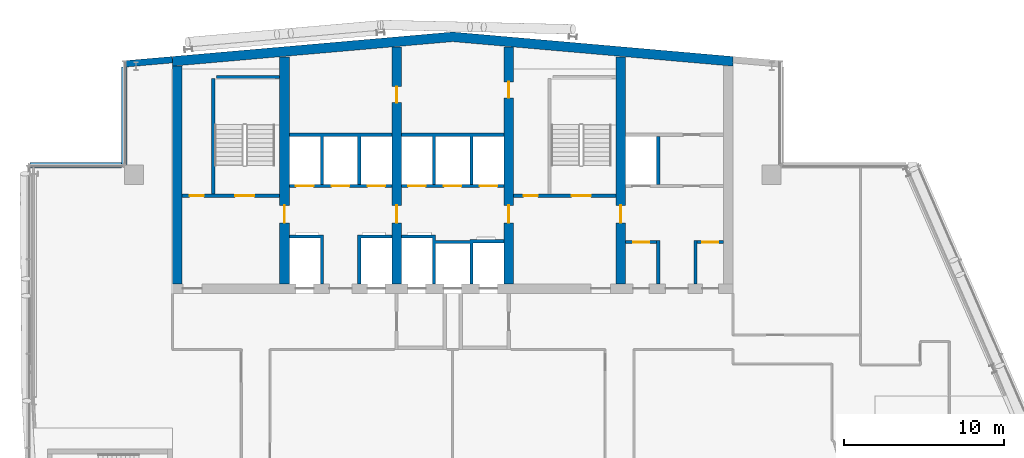
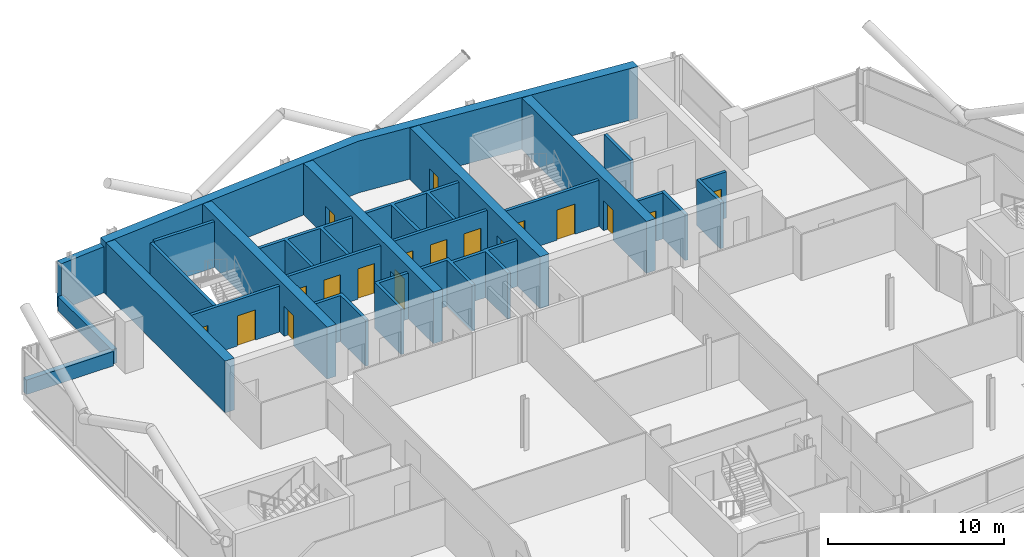
# One storey, part 19 of 28: 25 walls, 18 doors, 18 openings.
"""IFC4 building model written with IfcOpenShell, lengths in metres."""

from ifc_helpers import new_model, si_unit, direction, frame, frame_2d, origin, place, context, subcontext, project, spatial, polyline, rectangle, outline, extrude, material, layer, layer_set, type_object, element, fill, save


model = new_model("IFC4")

# Units and contexts
model_context = context("Model", 3, precision=1e-05, world=origin(), true_north=direction((0.0, 1.0)))
body_context = subcontext(model_context, "Body", "Model", "MODEL_VIEW")
ifc_project = project(units=[si_unit("LENGTHUNIT", "METRE"), si_unit("AREAUNIT", "SQUARE_METRE"), si_unit("VOLUMEUNIT", "CUBIC_METRE"), si_unit("PLANEANGLEUNIT", "RADIAN"), si_unit("MASSUNIT", "GRAM", prefix="KILO")], contexts=[model_context])

# Site, building, storey
site_placement = place(None, origin())
site = spatial("IfcSite", under=ifc_project, at=site_placement, CompositionType="ELEMENT")
building_placement = place(site_placement, origin())
building = spatial("IfcBuilding", under=site, at=building_placement, Name="Wharfspan Tower", CompositionType="ELEMENT")
storey_placement = place(building_placement, frame((0.0, 0.0, 253.899902)))
storey = spatial("IfcBuildingStorey", under=building, at=storey_placement, Name="L64", CompositionType="ELEMENT", Elevation=253.899902)

# Wall, opening, door
ifc_material_1 = material(Name="Calcium silicate masonry", Category="masonry")
ifc_layer_1 = layer(ifc_material_1, 0.199951)
ifc_layer_set_1 = layer_set([ifc_layer_1], Name="Calcium silicate masonry")
wall_type_1 = type_object("IfcWallType", Name="Core room wall 200", PredefinedType="PARTITIONING", material=ifc_layer_set_1)
wall_1_placement = place(storey_placement, frame((51.300049, 37.199951, 0.0), z_axis=(0.0, 0.0, 1.0), x_axis=(1.0, 0.0, 0.0)))
wall_1 = element("IfcWall", 1, at=wall_1_placement, inside=storey, type_object=wall_type_1, Name="sw:L64:FR6.1", PredefinedType="PARTITIONING", context=body_context, shape_type="SweptSolid", body=[
    extrude(rectangle(XDim=1.93335, YDim=0.199951, at=frame_2d((0.966797, 0.0))), origin(), (0.0, 0.0, 1.0), 3.200195),
])
opening_1_placement = place(wall_1_placement, frame((0.466797, 0.0, 0.0)))
opening_1 = element("IfcOpeningElement", 2, at=opening_1_placement, cuts=wall_1, Name="Opening CD64.6H1", PredefinedType="OPENING", context=body_context, shape_type="SweptSolid", body=[
    extrude(rectangle(XDim=1.0, YDim=2.100098, at=frame_2d((0.5, 1.050049))), frame((0.0, 0.109863, 0.0), z_axis=(0.0, -1.0, 0.0), x_axis=(1.0, 0.0, 0.0)), (0.0, 0.0, 1.0), 0.219971),
])
ifc_material_2 = material(Name="Steel door leaf", Category="steel")
door_type_1 = type_object("IfcDoorType", Name="Core room door 1000x2100", OperationType="SINGLE_SWING_LEFT", PredefinedType="DOOR", material=ifc_material_2)
door_1_placement = place(opening_1_placement, origin())
door_1 = element("IfcDoor", 3, at=door_1_placement, inside=storey, type_object=door_type_1, Name="d:L64:6:fh6.1", OperationType="SINGLE_SWING_RIGHT", OverallHeight=2.100098, OverallWidth=1.0, PredefinedType="DOOR", context=body_context, shape_type="SweptSolid", body=[
    extrude(rectangle(XDim=1.0, YDim=2.100098, at=frame_2d((0.5, 1.050049))), frame((0.0, 0.024902, 0.0), z_axis=(0.0, -1.0, 0.0), x_axis=(1.0, 0.0, 0.0)), (0.0, 0.0, 1.0), 0.050049),
])
fill(opening_1, door_1)

wall_2_placement = place(storey_placement, frame((55.766602, 37.199951, 0.0), z_axis=(0.0, 0.0, 1.0), x_axis=(1.0, 0.0, 0.0)))
wall_2 = element("IfcWall", 4, at=wall_2_placement, inside=storey, type_object=wall_type_1, Name="sw:L64:FR6.3", PredefinedType="PARTITIONING", context=body_context, shape_type="SweptSolid", body=[
    extrude(rectangle(XDim=1.633301, YDim=0.199951, at=frame_2d((0.81665, 0.0))), origin(), (0.0, 0.0, 1.0), 3.200195),
])
opening_2_placement = place(wall_2_placement, frame((0.31665, 0.0, 0.0)))
opening_2 = element("IfcOpeningElement", 5, at=opening_2_placement, cuts=wall_2, Name="Opening CD64.6H3", PredefinedType="OPENING", context=body_context, shape_type="SweptSolid", body=[
    extrude(rectangle(XDim=1.0, YDim=2.100098, at=frame_2d((0.5, 1.050049))), frame((0.0, 0.109863, 0.0), z_axis=(0.0, -1.0, 0.0), x_axis=(1.0, 0.0, 0.0)), (0.0, 0.0, 1.0), 0.219971),
])
door_2_placement = place(opening_2_placement, origin())
door_2 = element("IfcDoor", 6, at=door_2_placement, inside=storey, type_object=door_type_1, Name="d:L64:6:fh6.3", OperationType="SINGLE_SWING_RIGHT", OverallHeight=2.100098, OverallWidth=1.0, PredefinedType="DOOR", context=body_context, shape_type="SweptSolid", body=[
    extrude(rectangle(XDim=1.0, YDim=2.100098, at=frame_2d((0.5, 1.050049))), frame((0.0, 0.024902, 0.0), z_axis=(0.0, -1.0, 0.0), x_axis=(1.0, 0.0, 0.0)), (0.0, 0.0, 1.0), 0.050049),
])
fill(opening_2, door_2)

# Walls
ifc_material_3 = material(Name="Concrete C50/60", Category="concrete")
ifc_layer_2 = layer(ifc_material_3, 0.600098)
ifc_layer_set_2 = layer_set([ifc_layer_2], Name="Concrete C50/60")
wall_type_2 = type_object("IfcWallType", Name="Core wall 600 C50/60", PredefinedType="SHEAR", material=ifc_layer_set_2)
wall_3_placement = place(storey_placement, origin())
element("IfcWall", 7, at=wall_3_placement, inside=storey, type_object=wall_type_2, Name="Core rear wall L64", PredefinedType="SHEAR", context=body_context, shape_type="SweptSolid", body=[
    extrude(outline(polyline([(23.0, 48.185059), (40.5, 49.716064), (58.0, 48.185059), (58.0, 48.787354), (40.5, 50.318359), (23.0, 48.787354), (23.0, 48.185059)])), origin(), (0.0, 0.0, 1.0), 3.600098),
])
wall_4_placement = place(storey_placement, frame((23.300049, 34.600098, 0.0), z_axis=(0.0, 0.0, 1.0), x_axis=(0.0, 1.0, 0.0)))
element("IfcWall", 8, at=wall_4_placement, inside=storey, type_object=wall_type_2, Name="Core cross wall EW0 L64", PredefinedType="SHEAR", context=body_context, shape_type="SweptSolid", body=[
    extrude(rectangle(XDim=13.584961, YDim=0.600098, at=frame_2d((6.79248, 0.0))), origin(), (0.0, 0.0, 1.0), 3.600098),
])

# Wall, opening, door
wall_5_placement = place(storey_placement, frame((30.0, 34.600098, 0.0), z_axis=(0.0, 0.0, 1.0), x_axis=(0.0, 1.0, 0.0)))
wall_5 = element("IfcWall", 9, at=wall_5_placement, inside=storey, type_object=wall_type_2, Name="Core cross wall X3 L64", PredefinedType="SHEAR", context=body_context, shape_type="SweptSolid", body=[
    extrude(rectangle(XDim=14.171143, YDim=0.600098, at=frame_2d((7.085449, 0.0))), origin(), (0.0, 0.0, 1.0), 3.600098),
])
opening_3_placement = place(wall_5_placement, frame((3.800049, 0.0, 0.0)))
opening_3 = element("IfcOpeningElement", 10, at=opening_3_placement, cuts=wall_5, Name="Opening CC64.3", PredefinedType="OPENING", context=body_context, shape_type="SweptSolid", body=[
    extrude(rectangle(XDim=1.100098, YDim=2.100098, at=frame_2d((0.550049, 1.050049))), frame((0.0, 0.310059, 0.0), z_axis=(0.0, -1.0, 0.0), x_axis=(1.0, 0.0, 0.0)), (0.0, 0.0, 1.0), 0.620117),
])
door_type_2 = type_object("IfcDoorType", Name="Core corridor door 1100x2100", OperationType="SINGLE_SWING_LEFT", PredefinedType="DOOR", material=ifc_material_2)
door_3_placement = place(opening_3_placement, origin())
door_3 = element("IfcDoor", 11, at=door_3_placement, inside=storey, type_object=door_type_2, Name="xd:L64:3", OperationType="SINGLE_SWING_LEFT", OverallHeight=2.100098, OverallWidth=1.100098, PredefinedType="DOOR", context=body_context, shape_type="SweptSolid", body=[
    extrude(rectangle(XDim=1.100098, YDim=2.100098, at=frame_2d((0.550049, 1.050049))), frame((0.0, 0.024902, 0.0), z_axis=(0.0, -1.0, 0.0), x_axis=(1.0, 0.0, 0.0)), (0.0, 0.0, 1.0), 0.050049),
])
fill(opening_3, door_3)

# Wall, openings, doors
wall_6_placement = place(storey_placement, frame((37.0, 34.600098, 0.0), z_axis=(0.0, 0.0, 1.0), x_axis=(0.0, 1.0, 0.0)))
wall_6 = element("IfcWall", 12, at=wall_6_placement, inside=storey, type_object=wall_type_2, Name="Core cross wall X4 L64", PredefinedType="SHEAR", context=body_context, shape_type="SweptSolid", body=[
    extrude(rectangle(XDim=14.783691, YDim=0.600098, at=frame_2d((7.391846, 0.0))), origin(), (0.0, 0.0, 1.0), 3.600098),
])
opening_4_placement = place(wall_6_placement, frame((11.302002, 0.0, 0.0)))
opening_4 = element("IfcOpeningElement", 13, at=opening_4_placement, cuts=wall_6, Name="Opening CD64.3X", PredefinedType="OPENING", context=body_context, shape_type="SweptSolid", body=[
    extrude(rectangle(XDim=1.0, YDim=2.100098, at=frame_2d((0.5, 1.050049))), frame((0.0, 0.310059, 0.0), z_axis=(0.0, -1.0, 0.0), x_axis=(1.0, 0.0, 0.0)), (0.0, 0.0, 1.0), 0.620117),
])
opening_5_placement = place(wall_6_placement, frame((3.800049, 0.0, 0.0)))
opening_5 = element("IfcOpeningElement", 14, at=opening_5_placement, cuts=wall_6, Name="Opening CC64.4", PredefinedType="OPENING", context=body_context, shape_type="SweptSolid", body=[
    extrude(rectangle(XDim=1.100098, YDim=2.100098, at=frame_2d((0.550049, 1.050049))), frame((0.0, 0.310059, 0.0), z_axis=(0.0, -1.0, 0.0), x_axis=(1.0, 0.0, 0.0)), (0.0, 0.0, 1.0), 0.620117),
])
door_4_placement = place(opening_5_placement, origin())
door_4 = element("IfcDoor", 15, at=door_4_placement, inside=storey, type_object=door_type_2, Name="xd:L64:4", OperationType="SINGLE_SWING_RIGHT", OverallHeight=2.100098, OverallWidth=1.100098, PredefinedType="DOOR", context=body_context, shape_type="SweptSolid", body=[
    extrude(rectangle(XDim=1.100098, YDim=2.100098, at=frame_2d((0.550049, 1.050049))), frame((0.0, 0.024902, 0.0), z_axis=(0.0, -1.0, 0.0), x_axis=(1.0, 0.0, 0.0)), (0.0, 0.0, 1.0), 0.050049),
])
fill(opening_5, door_4)
door_5_placement = place(opening_4_placement, origin())
door_5 = element("IfcDoor", 16, at=door_5_placement, inside=storey, type_object=door_type_1, Name="d:L64:3:sx", OperationType="SINGLE_SWING_LEFT", OverallHeight=2.100098, OverallWidth=1.0, PredefinedType="DOOR", context=body_context, shape_type="SweptSolid", body=[
    extrude(rectangle(XDim=1.0, YDim=2.100098, at=frame_2d((0.5, 1.050049))), frame((0.0, 0.024902, 0.0), z_axis=(0.0, -1.0, 0.0), x_axis=(1.0, 0.0, 0.0)), (0.0, 0.0, 1.0), 0.050049),
])
fill(opening_4, door_5)

wall_7_placement = place(storey_placement, frame((44.0, 34.600098, 0.0), z_axis=(0.0, 0.0, 1.0), x_axis=(0.0, 1.0, 0.0)))
wall_7 = element("IfcWall", 17, at=wall_7_placement, inside=storey, type_object=wall_type_2, Name="Core cross wall X5 L64", PredefinedType="SHEAR", context=body_context, shape_type="SweptSolid", body=[
    extrude(rectangle(XDim=14.783691, YDim=0.600098, at=frame_2d((7.391846, 0.0))), origin(), (0.0, 0.0, 1.0), 3.600098),
])
opening_6_placement = place(wall_7_placement, frame((11.608154, 0.0, 0.0)))
opening_6 = element("IfcOpeningElement", 18, at=opening_6_placement, cuts=wall_7, Name="Opening CD64.4X", PredefinedType="OPENING", context=body_context, shape_type="SweptSolid", body=[
    extrude(rectangle(XDim=1.0, YDim=2.100098, at=frame_2d((0.5, 1.050049))), frame((0.0, 0.310059, 0.0), z_axis=(0.0, -1.0, 0.0), x_axis=(1.0, 0.0, 0.0)), (0.0, 0.0, 1.0), 0.620117),
])
opening_7_placement = place(wall_7_placement, frame((3.800049, 0.0, 0.0)))
opening_7 = element("IfcOpeningElement", 19, at=opening_7_placement, cuts=wall_7, Name="Opening CC64.5", PredefinedType="OPENING", context=body_context, shape_type="SweptSolid", body=[
    extrude(rectangle(XDim=1.100098, YDim=2.100098, at=frame_2d((0.550049, 1.050049))), frame((0.0, 0.310059, 0.0), z_axis=(0.0, -1.0, 0.0), x_axis=(1.0, 0.0, 0.0)), (0.0, 0.0, 1.0), 0.620117),
])
door_6_placement = place(opening_7_placement, origin())
door_6 = element("IfcDoor", 20, at=door_6_placement, inside=storey, type_object=door_type_2, Name="xd:L64:5", OperationType="SINGLE_SWING_LEFT", OverallHeight=2.100098, OverallWidth=1.100098, PredefinedType="DOOR", context=body_context, shape_type="SweptSolid", body=[
    extrude(rectangle(XDim=1.100098, YDim=2.100098, at=frame_2d((0.550049, 1.050049))), frame((0.0, 0.024902, 0.0), z_axis=(0.0, -1.0, 0.0), x_axis=(1.0, 0.0, 0.0)), (0.0, 0.0, 1.0), 0.050049),
])
fill(opening_7, door_6)
door_7_placement = place(opening_6_placement, origin())
door_7 = element("IfcDoor", 21, at=door_7_placement, inside=storey, type_object=door_type_1, Name="d:L64:4:sx", OperationType="SINGLE_SWING_LEFT", OverallHeight=2.100098, OverallWidth=1.0, PredefinedType="DOOR", context=body_context, shape_type="SweptSolid", body=[
    extrude(rectangle(XDim=1.0, YDim=2.100098, at=frame_2d((0.5, 1.050049))), frame((0.0, 0.024902, 0.0), z_axis=(0.0, -1.0, 0.0), x_axis=(1.0, 0.0, 0.0)), (0.0, 0.0, 1.0), 0.050049),
])
fill(opening_6, door_7)

# Wall, opening, door
wall_8_placement = place(storey_placement, frame((51.0, 34.600098, 0.0), z_axis=(0.0, 0.0, 1.0), x_axis=(0.0, 1.0, 0.0)))
wall_8 = element("IfcWall", 22, at=wall_8_placement, inside=storey, type_object=wall_type_2, Name="Core cross wall X6 L64", PredefinedType="SHEAR", context=body_context, shape_type="SweptSolid", body=[
    extrude(rectangle(XDim=14.171143, YDim=0.600098, at=frame_2d((7.085449, 0.0))), origin(), (0.0, 0.0, 1.0), 3.600098),
])
opening_8_placement = place(wall_8_placement, frame((3.800049, 0.0, 0.0)))
opening_8 = element("IfcOpeningElement", 23, at=opening_8_placement, cuts=wall_8, Name="Opening CC64.6", PredefinedType="OPENING", context=body_context, shape_type="SweptSolid", body=[
    extrude(rectangle(XDim=1.100098, YDim=2.100098, at=frame_2d((0.550049, 1.050049))), frame((0.0, 0.310059, 0.0), z_axis=(0.0, -1.0, 0.0), x_axis=(1.0, 0.0, 0.0)), (0.0, 0.0, 1.0), 0.620117),
])
door_8_placement = place(opening_8_placement, origin())
door_8 = element("IfcDoor", 24, at=door_8_placement, inside=storey, type_object=door_type_2, Name="xd:L64:6", OperationType="SINGLE_SWING_RIGHT", OverallHeight=2.100098, OverallWidth=1.100098, PredefinedType="DOOR", context=body_context, shape_type="SweptSolid", body=[
    extrude(rectangle(XDim=1.100098, YDim=2.100098, at=frame_2d((0.550049, 1.050049))), frame((0.0, 0.024902, 0.0), z_axis=(0.0, -1.0, 0.0), x_axis=(1.0, 0.0, 0.0)), (0.0, 0.0, 1.0), 0.050049),
])
fill(opening_8, door_8)

# Wall, openings, doors
ifc_material_4 = material(Name="Concrete C30/37", Category="concrete")
ifc_layer_3 = layer(ifc_material_4, 0.199951)
ifc_layer_set_3 = layer_set([ifc_layer_3], Name="Concrete C30/37")
wall_type_3 = type_object("IfcWallType", Name="Lift shaft wall 200", PredefinedType="PARTITIONING", material=ifc_layer_set_3)
wall_9_placement = place(storey_placement, frame((30.300049, 40.699951, 0.0), z_axis=(0.0, 0.0, 1.0), x_axis=(1.0, 0.0, 0.0)))
wall_9 = element("IfcWall", 25, at=wall_9_placement, inside=storey, type_object=wall_type_3, Name="sw:L64:RF3", PredefinedType="PARTITIONING", context=body_context, shape_type="SweptSolid", body=[
    extrude(rectangle(XDim=6.399902, YDim=0.199951, at=frame_2d((3.199951, 0.0))), origin(), (0.0, 0.0, 1.0), 3.200195),
])
opening_9_placement = place(wall_9_placement, frame((0.416748, 0.0, 0.0)))
opening_9 = element("IfcOpeningElement", 26, at=opening_9_placement, cuts=wall_9, Name="Opening LD.LB1.L64", PredefinedType="OPENING", context=body_context, shape_type="SweptSolid", body=[
    extrude(rectangle(XDim=1.100098, YDim=2.100098, at=frame_2d((0.550049, 1.050049))), frame((0.0, 0.109863, 0.0), z_axis=(0.0, -1.0, 0.0), x_axis=(1.0, 0.0, 0.0)), (0.0, 0.0, 1.0), 0.219971),
])
opening_10_placement = place(wall_9_placement, frame((2.649902, 0.0, 0.0)))
opening_10 = element("IfcOpeningElement", 27, at=opening_10_placement, cuts=wall_9, Name="Opening LD.LB2.L64", PredefinedType="OPENING", context=body_context, shape_type="SweptSolid", body=[
    extrude(rectangle(XDim=1.100098, YDim=2.100098, at=frame_2d((0.550049, 1.050049))), frame((0.0, 0.109863, 0.0), z_axis=(0.0, -1.0, 0.0), x_axis=(1.0, 0.0, 0.0)), (0.0, 0.0, 1.0), 0.219971),
])
opening_11_placement = place(wall_9_placement, frame((4.883301, 0.0, 0.0)))
opening_11 = element("IfcOpeningElement", 28, at=opening_11_placement, cuts=wall_9, Name="Opening LD.LB3.L64", PredefinedType="OPENING", context=body_context, shape_type="SweptSolid", body=[
    extrude(rectangle(XDim=1.100098, YDim=2.100098, at=frame_2d((0.550049, 1.050049))), frame((0.0, 0.109863, 0.0), z_axis=(0.0, -1.0, 0.0), x_axis=(1.0, 0.0, 0.0)), (0.0, 0.0, 1.0), 0.219971),
])
ifc_material_5 = material(Name="Stainless steel", Category="steel")
door_type_3 = type_object("IfcDoorType", Name="Lift landing door 1100x2100", OperationType="DOUBLE_DOOR_SLIDING", PredefinedType="DOOR", material=ifc_material_5)
door_9_placement = place(opening_9_placement, origin())
door_9 = element("IfcDoor", 29, at=door_9_placement, inside=storey, type_object=door_type_3, Name="Landing door LB1 L64", OperationType="DOUBLE_DOOR_SLIDING", OverallHeight=2.100098, OverallWidth=1.100098, PredefinedType="DOOR", context=body_context, shape_type="SweptSolid", body=[
    extrude(rectangle(XDim=1.100098, YDim=2.100098, at=frame_2d((0.550049, 1.050049))), frame((0.0, 0.024902, 0.0), z_axis=(0.0, -1.0, 0.0), x_axis=(1.0, 0.0, 0.0)), (0.0, 0.0, 1.0), 0.050049),
])
fill(opening_9, door_9)
door_10_placement = place(opening_10_placement, origin())
door_10 = element("IfcDoor", 30, at=door_10_placement, inside=storey, type_object=door_type_3, Name="Landing door LB2 L64", OperationType="DOUBLE_DOOR_SLIDING", OverallHeight=2.100098, OverallWidth=1.100098, PredefinedType="DOOR", context=body_context, shape_type="SweptSolid", body=[
    extrude(rectangle(XDim=1.100098, YDim=2.100098, at=frame_2d((0.550049, 1.050049))), frame((0.0, 0.024902, 0.0), z_axis=(0.0, -1.0, 0.0), x_axis=(1.0, 0.0, 0.0)), (0.0, 0.0, 1.0), 0.050049),
])
fill(opening_10, door_10)
door_11_placement = place(opening_11_placement, origin())
door_11 = element("IfcDoor", 31, at=door_11_placement, inside=storey, type_object=door_type_3, Name="Landing door LB3 L64", OperationType="DOUBLE_DOOR_SLIDING", OverallHeight=2.100098, OverallWidth=1.100098, PredefinedType="DOOR", context=body_context, shape_type="SweptSolid", body=[
    extrude(rectangle(XDim=1.100098, YDim=2.100098, at=frame_2d((0.550049, 1.050049))), frame((0.0, 0.024902, 0.0), z_axis=(0.0, -1.0, 0.0), x_axis=(1.0, 0.0, 0.0)), (0.0, 0.0, 1.0), 0.050049),
])
fill(opening_11, door_11)

# Walls
wall_10_placement = place(storey_placement, origin())
element("IfcWall", 32, at=wall_10_placement, inside=storey, type_object=wall_type_3, Name="sw:L64:FM3.0", PredefinedType="PARTITIONING", context=body_context, shape_type="SweptSolid", body=[
    extrude(outline(polyline([(32.233398, 37.449951), (30.300049, 37.449951), (30.300049, 37.649902), (32.233398, 37.649902), (32.43335, 37.649902), (32.43335, 34.600098), (32.233398, 34.600098), (32.233398, 37.449951)])), origin(), (0.0, 0.0, 1.0), 3.200195),
])
wall_11_placement = place(storey_placement, origin())
element("IfcWall", 33, at=wall_11_placement, inside=storey, type_object=wall_type_3, Name="sw:L64:FM3.1", PredefinedType="PARTITIONING", context=body_context, shape_type="SweptSolid", body=[
    extrude(outline(polyline([(34.56665, 37.649902), (34.766602, 37.649902), (36.699951, 37.649902), (36.699951, 37.449951), (34.766602, 37.449951), (34.766602, 34.600098), (34.56665, 34.600098), (34.56665, 37.649902)])), origin(), (0.0, 0.0, 1.0), 3.200195),
])
wall_12_placement = place(storey_placement, origin())
element("IfcWall", 34, at=wall_12_placement, inside=storey, type_object=wall_type_3, Name="sw:L64:RM3.0", PredefinedType="PARTITIONING", context=body_context, shape_type="SweptSolid", body=[
    extrude(outline(polyline([(32.43335, 40.800049), (32.233398, 40.800049), (32.233398, 43.800049), (30.300049, 43.800049), (30.300049, 44.0), (36.699951, 44.0), (36.699951, 43.800049), (34.766602, 43.800049), (34.766602, 40.800049), (34.56665, 40.800049), (34.56665, 43.800049), (32.43335, 43.800049), (32.43335, 40.800049)])), origin(), (0.0, 0.0, 1.0), 3.200195),
])

# Wall, openings, doors
wall_13_placement = place(storey_placement, frame((37.300049, 40.699951, 0.0), z_axis=(0.0, 0.0, 1.0), x_axis=(1.0, 0.0, 0.0)))
wall_13 = element("IfcWall", 35, at=wall_13_placement, inside=storey, type_object=wall_type_3, Name="sw:L64:RF4", PredefinedType="PARTITIONING", context=body_context, shape_type="SweptSolid", body=[
    extrude(rectangle(XDim=6.399902, YDim=0.199951, at=frame_2d((3.199951, 0.0))), origin(), (0.0, 0.0, 1.0), 3.200195),
])
opening_12_placement = place(wall_13_placement, frame((0.416748, 0.0, 0.0)))
opening_12 = element("IfcOpeningElement", 36, at=opening_12_placement, cuts=wall_13, Name="Opening LD.LB4.L64", PredefinedType="OPENING", context=body_context, shape_type="SweptSolid", body=[
    extrude(rectangle(XDim=1.100098, YDim=2.100098, at=frame_2d((0.550049, 1.050049))), frame((0.0, 0.109863, 0.0), z_axis=(0.0, -1.0, 0.0), x_axis=(1.0, 0.0, 0.0)), (0.0, 0.0, 1.0), 0.219971),
])
opening_13_placement = place(wall_13_placement, frame((2.649902, 0.0, 0.0)))
opening_13 = element("IfcOpeningElement", 37, at=opening_13_placement, cuts=wall_13, Name="Opening LD.LB5.L64", PredefinedType="OPENING", context=body_context, shape_type="SweptSolid", body=[
    extrude(rectangle(XDim=1.100098, YDim=2.100098, at=frame_2d((0.550049, 1.050049))), frame((0.0, 0.109863, 0.0), z_axis=(0.0, -1.0, 0.0), x_axis=(1.0, 0.0, 0.0)), (0.0, 0.0, 1.0), 0.219971),
])
opening_14_placement = place(wall_13_placement, frame((4.883301, 0.0, 0.0)))
opening_14 = element("IfcOpeningElement", 38, at=opening_14_placement, cuts=wall_13, Name="Opening LD.LB6.L64", PredefinedType="OPENING", context=body_context, shape_type="SweptSolid", body=[
    extrude(rectangle(XDim=1.100098, YDim=2.100098, at=frame_2d((0.550049, 1.050049))), frame((0.0, 0.109863, 0.0), z_axis=(0.0, -1.0, 0.0), x_axis=(1.0, 0.0, 0.0)), (0.0, 0.0, 1.0), 0.219971),
])
door_12_placement = place(opening_12_placement, origin())
door_12 = element("IfcDoor", 39, at=door_12_placement, inside=storey, type_object=door_type_3, Name="Landing door LB4 L64", OperationType="DOUBLE_DOOR_SLIDING", OverallHeight=2.100098, OverallWidth=1.100098, PredefinedType="DOOR", context=body_context, shape_type="SweptSolid", body=[
    extrude(rectangle(XDim=1.100098, YDim=2.100098, at=frame_2d((0.550049, 1.050049))), frame((0.0, 0.024902, 0.0), z_axis=(0.0, -1.0, 0.0), x_axis=(1.0, 0.0, 0.0)), (0.0, 0.0, 1.0), 0.050049),
])
fill(opening_12, door_12)
door_13_placement = place(opening_13_placement, origin())
door_13 = element("IfcDoor", 40, at=door_13_placement, inside=storey, type_object=door_type_3, Name="Landing door LB5 L64", OperationType="DOUBLE_DOOR_SLIDING", OverallHeight=2.100098, OverallWidth=1.100098, PredefinedType="DOOR", context=body_context, shape_type="SweptSolid", body=[
    extrude(rectangle(XDim=1.100098, YDim=2.100098, at=frame_2d((0.550049, 1.050049))), frame((0.0, 0.024902, 0.0), z_axis=(0.0, -1.0, 0.0), x_axis=(1.0, 0.0, 0.0)), (0.0, 0.0, 1.0), 0.050049),
])
fill(opening_13, door_13)
door_14_placement = place(opening_14_placement, origin())
door_14 = element("IfcDoor", 41, at=door_14_placement, inside=storey, type_object=door_type_3, Name="Landing door LB6 L64", OperationType="DOUBLE_DOOR_SLIDING", OverallHeight=2.100098, OverallWidth=1.100098, PredefinedType="DOOR", context=body_context, shape_type="SweptSolid", body=[
    extrude(rectangle(XDim=1.100098, YDim=2.100098, at=frame_2d((0.550049, 1.050049))), frame((0.0, 0.024902, 0.0), z_axis=(0.0, -1.0, 0.0), x_axis=(1.0, 0.0, 0.0)), (0.0, 0.0, 1.0), 0.050049),
])
fill(opening_14, door_14)

# Walls
wall_14_placement = place(storey_placement, origin())
element("IfcWall", 42, at=wall_14_placement, inside=storey, type_object=wall_type_3, Name="sw:L64:FM4.0", PredefinedType="PARTITIONING", context=body_context, shape_type="SweptSolid", body=[
    extrude(outline(polyline([(41.56665, 37.100098), (39.43335, 37.100098), (39.43335, 34.600098), (39.233398, 34.600098), (39.233398, 37.449951), (37.300049, 37.449951), (37.300049, 37.649902), (39.233398, 37.649902), (39.43335, 37.649902), (39.43335, 37.300049), (41.56665, 37.300049), (41.56665, 37.350098), (41.766602, 37.350098), (43.699951, 37.350098), (43.699951, 37.149902), (41.766602, 37.149902), (41.766602, 34.600098), (41.56665, 34.600098), (41.56665, 37.100098)])), origin(), (0.0, 0.0, 1.0), 3.200195),
])
wall_15_placement = place(storey_placement, origin())
element("IfcWall", 43, at=wall_15_placement, inside=storey, type_object=wall_type_3, Name="sw:L64:RM4.0", PredefinedType="PARTITIONING", context=body_context, shape_type="SweptSolid", body=[
    extrude(outline(polyline([(39.43335, 40.800049), (39.233398, 40.800049), (39.233398, 43.800049), (37.300049, 43.800049), (37.300049, 44.0), (43.699951, 44.0), (43.699951, 43.800049), (41.766602, 43.800049), (41.766602, 40.800049), (41.56665, 40.800049), (41.56665, 43.800049), (39.43335, 43.800049), (39.43335, 40.800049)])), origin(), (0.0, 0.0, 1.0), 3.200195),
])
wall_16_placement = place(storey_placement, origin())
element("IfcWall", 44, at=wall_16_placement, inside=storey, type_object=wall_type_3, Name="sw:L64:FM6.0", PredefinedType="PARTITIONING", context=body_context, shape_type="SweptSolid", body=[
    extrude(outline(polyline([(53.233398, 34.600098), (53.233398, 37.300049), (53.43335, 37.300049), (53.43335, 34.600098), (53.233398, 34.600098)])), origin(), (0.0, 0.0, 1.0), 3.200195),
])
wall_17_placement = place(storey_placement, origin())
element("IfcWall", 45, at=wall_17_placement, inside=storey, type_object=wall_type_3, Name="sw:L64:FM6.1", PredefinedType="PARTITIONING", context=body_context, shape_type="SweptSolid", body=[
    extrude(outline(polyline([(55.56665, 34.600098), (55.56665, 37.300049), (55.766602, 37.300049), (55.766602, 34.600098), (55.56665, 34.600098)])), origin(), (0.0, 0.0, 1.0), 3.200195),
])
wall_18_placement = place(storey_placement, origin())
element("IfcWall", 46, at=wall_18_placement, inside=storey, type_object=wall_type_3, Name="sw:L64:RM6.0", PredefinedType="PARTITIONING", context=body_context, shape_type="SweptSolid", body=[
    extrude(outline(polyline([(53.43335, 40.800049), (53.43335, 43.800049), (53.233398, 43.800049), (53.233398, 40.800049), (53.43335, 40.800049)])), origin(), (0.0, 0.0, 1.0), 3.200195),
])
ifc_material_6 = material(Name="Concrete C40/50", Category="concrete")
ifc_layer_4 = layer(ifc_material_6, 0.350098)
ifc_layer_set_4 = layer_set([ifc_layer_4], Name="Concrete C40/50")
wall_type_4 = type_object("IfcWallType", Name="SPANDREL EXPOSED CONCRETE 350", PredefinedType="SOLIDWALL", material=ifc_layer_set_4)
wall_19_placement = place(storey_placement, frame((19.995117, 48.126465, 0.0), z_axis=(0.0, 0.0, 1.0), x_axis=(0.0, -1.0, 0.0)))
element("IfcWall", 47, at=wall_19_placement, inside=storey, type_object=wall_type_4, Name="Spandrel upstand L64 NRW-V", PredefinedType="SOLIDWALL", context=body_context, shape_type="SweptSolid", body=[
    extrude(rectangle(XDim=6.126465, YDim=0.350098, at=frame_2d((3.063232, 0.0))), origin(), (0.0, 0.0, 1.0), 1.0),
])
wall_20_placement = place(storey_placement, frame((19.820068, 42.004883, 0.0), z_axis=(0.0, 0.0, 1.0), x_axis=(-1.0, 0.0, 0.0)))
element("IfcWall", 48, at=wall_20_placement, inside=storey, type_object=wall_type_4, Name="Spandrel upstand L64 NRW-H", PredefinedType="SOLIDWALL", context=body_context, shape_type="SweptSolid", body=[
    extrude(rectangle(XDim=5.699951, YDim=0.350098, at=frame_2d((2.850098, 0.0))), origin(), (0.0, 0.0, 1.0), 1.0),
])

# Wall, openings, doors
ifc_layer_5 = layer(ifc_material_6, 0.199951)
ifc_layer_set_5 = layer_set([ifc_layer_5], Name="Concrete C40/50")
wall_type_5 = type_object("IfcWallType", Name="Stair shaft wall 200", PredefinedType="SHEAR", material=ifc_layer_set_5)
wall_21_placement = place(storey_placement, frame((23.600098, 40.100098, 0.0), z_axis=(0.0, 0.0, 1.0), x_axis=(1.0, 0.0, 0.0)))
wall_21 = element("IfcWall", 49, at=wall_21_placement, inside=storey, type_object=wall_type_5, Name="ST1 stair enclosure wall L64", PredefinedType="SHEAR", context=body_context, shape_type="SweptSolid", body=[
    extrude(rectangle(XDim=6.099854, YDim=0.199951, at=frame_2d((3.049805, 0.0))), origin(), (0.0, 0.0, 1.0), 3.200195),
])
opening_15_placement = place(wall_21_placement, frame((3.324951, 0.0, 0.0)))
opening_15 = element("IfcOpeningElement", 50, at=opening_15_placement, cuts=wall_21, Name="Opening SD2.L64", PredefinedType="OPENING", context=body_context, shape_type="SweptSolid", body=[
    extrude(rectangle(XDim=1.199951, YDim=2.100098, at=frame_2d((0.600098, 1.050049))), frame((0.0, 0.109863, 0.0), z_axis=(0.0, -1.0, 0.0), x_axis=(1.0, 0.0, 0.0)), (0.0, 0.0, 1.0), 0.219971),
])
opening_16_placement = place(wall_21_placement, frame((0.475098, 0.0, 0.0)))
opening_16 = element("IfcOpeningElement", 51, at=opening_16_placement, cuts=wall_21, Name="Opening CD64.2R", PredefinedType="OPENING", context=body_context, shape_type="SweptSolid", body=[
    extrude(rectangle(XDim=0.899902, YDim=2.100098, at=frame_2d((0.449951, 1.050049))), frame((0.0, 0.109863, 0.0), z_axis=(0.0, -1.0, 0.0), x_axis=(1.0, 0.0, 0.0)), (0.0, 0.0, 1.0), 0.219971),
])
door_15_placement = place(opening_16_placement, origin())
door_15 = element("IfcDoor", 52, at=door_15_placement, inside=storey, type_object=door_type_1, Name="rk:L64:2", OperationType="SINGLE_SWING_LEFT", OverallHeight=2.100098, OverallWidth=0.899902, PredefinedType="DOOR", context=body_context, shape_type="SweptSolid", body=[
    extrude(rectangle(XDim=0.899902, YDim=2.100098, at=frame_2d((0.449951, 1.050049))), frame((0.0, 0.024902, 0.0), z_axis=(0.0, -1.0, 0.0), x_axis=(1.0, 0.0, 0.0)), (0.0, 0.0, 1.0), 0.050049),
])
fill(opening_16, door_15)
door_type_4 = type_object("IfcDoorType", Name="Stair door 1200x2100", OperationType="SINGLE_SWING_LEFT", PredefinedType="DOOR", material=ifc_material_2)
door_16_placement = place(opening_15_placement, origin())
door_16 = element("IfcDoor", 53, at=door_16_placement, inside=storey, type_object=door_type_4, Name="sd:L64:2", OperationType="SINGLE_SWING_RIGHT", OverallHeight=2.100098, OverallWidth=1.199951, PredefinedType="DOOR", context=body_context, shape_type="SweptSolid", body=[
    extrude(rectangle(XDim=1.199951, YDim=2.100098, at=frame_2d((0.600098, 1.050049))), frame((0.0, 0.024902, 0.0), z_axis=(0.0, -1.0, 0.0), x_axis=(1.0, 0.0, 0.0)), (0.0, 0.0, 1.0), 0.050049),
])
fill(opening_15, door_16)

# Walls
wall_22_placement = place(storey_placement, frame((25.550049, 40.199951, 0.0), z_axis=(0.0, 0.0, 1.0), x_axis=(0.0, 1.0, 0.0)))
element("IfcWall", 54, at=wall_22_placement, inside=storey, type_object=wall_type_5, Name="ST1 stair enclosure wall L64", PredefinedType="SHEAR", context=body_context, shape_type="SweptSolid", body=[
    extrude(rectangle(XDim=7.199951, YDim=0.199951, at=frame_2d((3.600098, 0.0))), origin(), (0.0, 0.0, 1.0), 3.200195),
])
wall_23_placement = place(storey_placement, frame((25.75, 47.5, 0.0), z_axis=(0.0, 0.0, 1.0), x_axis=(1.0, 0.0, 0.0)))
element("IfcWall", 55, at=wall_23_placement, inside=storey, type_object=wall_type_5, Name="ST1 stair enclosure wall L64", PredefinedType="SHEAR", context=body_context, shape_type="SweptSolid", body=[
    extrude(rectangle(XDim=3.949951, YDim=0.199951, at=frame_2d((1.975098, 0.0))), origin(), (0.0, 0.0, 1.0), 3.200195),
])

# Wall, openings, doors
wall_24_placement = place(storey_placement, frame((44.300049, 40.100098, 0.0), z_axis=(0.0, 0.0, 1.0), x_axis=(1.0, 0.0, 0.0)))
wall_24 = element("IfcWall", 56, at=wall_24_placement, inside=storey, type_object=wall_type_5, Name="ST2 stair enclosure wall L64", PredefinedType="SHEAR", context=body_context, shape_type="SweptSolid", body=[
    extrude(rectangle(XDim=6.399902, YDim=0.199951, at=frame_2d((3.199951, 0.0))), origin(), (0.0, 0.0, 1.0), 3.200195),
])
opening_17_placement = place(wall_24_placement, frame((3.625, 0.0, 0.0)))
opening_17 = element("IfcOpeningElement", 57, at=opening_17_placement, cuts=wall_24, Name="Opening SD5.L64", PredefinedType="OPENING", context=body_context, shape_type="SweptSolid", body=[
    extrude(rectangle(XDim=1.199951, YDim=2.100098, at=frame_2d((0.600098, 1.050049))), frame((0.0, 0.109863, 0.0), z_axis=(0.0, -1.0, 0.0), x_axis=(1.0, 0.0, 0.0)), (0.0, 0.0, 1.0), 0.219971),
])
opening_18_placement = place(wall_24_placement, frame((0.625, 0.0, 0.0)))
opening_18 = element("IfcOpeningElement", 58, at=opening_18_placement, cuts=wall_24, Name="Opening CD64.5R", PredefinedType="OPENING", context=body_context, shape_type="SweptSolid", body=[
    extrude(rectangle(XDim=0.899902, YDim=2.100098, at=frame_2d((0.449951, 1.050049))), frame((0.0, 0.109863, 0.0), z_axis=(0.0, -1.0, 0.0), x_axis=(1.0, 0.0, 0.0)), (0.0, 0.0, 1.0), 0.219971),
])
door_17_placement = place(opening_18_placement, origin())
door_17 = element("IfcDoor", 59, at=door_17_placement, inside=storey, type_object=door_type_1, Name="rk:L64:5", OperationType="SINGLE_SWING_LEFT", OverallHeight=2.100098, OverallWidth=0.899902, PredefinedType="DOOR", context=body_context, shape_type="SweptSolid", body=[
    extrude(rectangle(XDim=0.899902, YDim=2.100098, at=frame_2d((0.449951, 1.050049))), frame((0.0, 0.024902, 0.0), z_axis=(0.0, -1.0, 0.0), x_axis=(1.0, 0.0, 0.0)), (0.0, 0.0, 1.0), 0.050049),
])
fill(opening_18, door_17)
door_18_placement = place(opening_17_placement, origin())
door_18 = element("IfcDoor", 60, at=door_18_placement, inside=storey, type_object=door_type_4, Name="sd:L64:5", OperationType="SINGLE_SWING_RIGHT", OverallHeight=2.100098, OverallWidth=1.199951, PredefinedType="DOOR", context=body_context, shape_type="SweptSolid", body=[
    extrude(rectangle(XDim=1.199951, YDim=2.100098, at=frame_2d((0.600098, 1.050049))), frame((0.0, 0.024902, 0.0), z_axis=(0.0, -1.0, 0.0), x_axis=(1.0, 0.0, 0.0)), (0.0, 0.0, 1.0), 0.050049),
])
fill(opening_17, door_18)

# Wall
ifc_layer_6 = layer(ifc_material_6, 0.399902)
ifc_layer_set_6 = layer_set([ifc_layer_6], Name="Concrete C40/50")
wall_type_6 = type_object("IfcWallType", Name="WALL EXPOSED CONCRETE 400", PredefinedType="SOLIDWALL", material=ifc_layer_set_6)
wall_25_placement = place(storey_placement, frame((23.0, 48.58667, 0.0), z_axis=(0.0, 0.0, 1.0), x_axis=(-0.996194, -0.087168, 0.0)))
element("IfcWall", 61, at=wall_25_placement, inside=storey, type_object=wall_type_6, Name="Rear wall N1", PredefinedType="SOLIDWALL", context=body_context, shape_type="SweptSolid", body=[
    extrude(rectangle(XDim=2.994141, YDim=0.399902, at=frame_2d((1.49707, 0.0))), origin(), (0.0, 0.0, 1.0), 3.200195),
])

save(model, "model.ifc")
